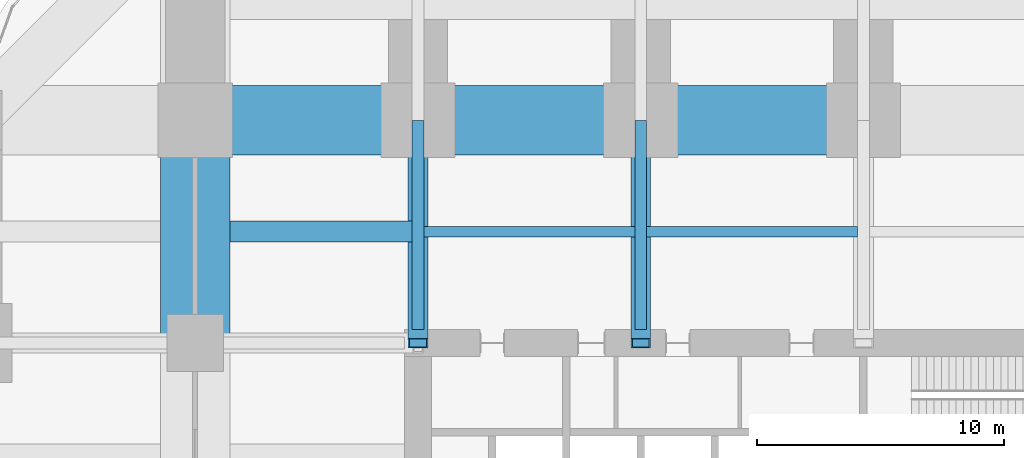
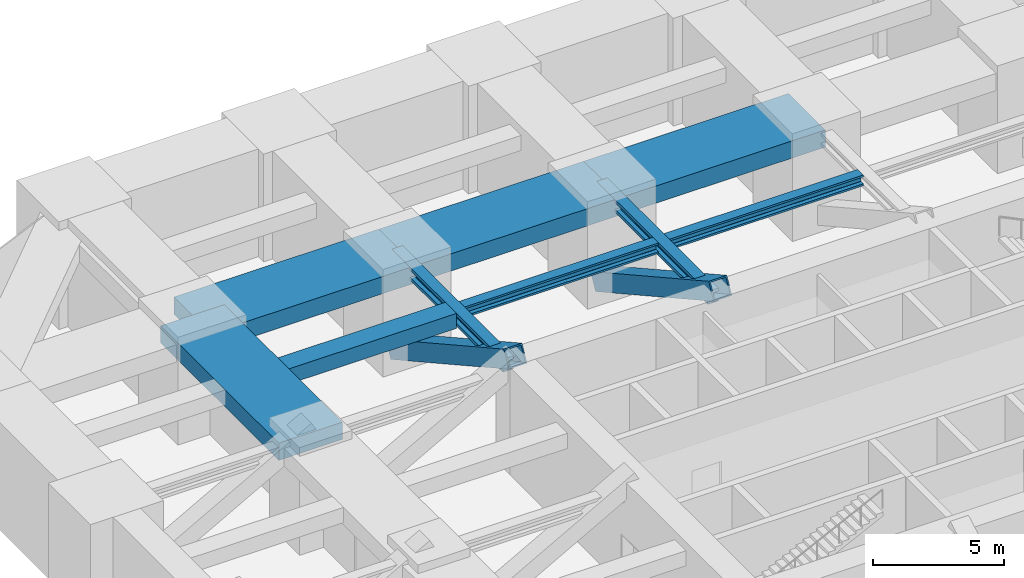
# One storey, part 22 of 35: 9 beams, 2 members.
"""IFC4 building model written with IfcOpenShell, lengths in metres."""

from ifc_helpers import new_model, si_unit, direction, frame, origin, origin_2d, place, context, subcontext, project, spatial, rectangle, hollow_rectangle, i_section, extrude, material, material_profile, profile_set, type_object, element, save


model = new_model("IFC4")

# Units and contexts
model_context = context("Model", 3, precision=1e-05, world=origin(), true_north=direction((0.0, 1.0)))
body_context = subcontext(model_context, "Body", "Model", "MODEL_VIEW")
ifc_project = project(units=[si_unit("LENGTHUNIT", "METRE"), si_unit("AREAUNIT", "SQUARE_METRE"), si_unit("VOLUMEUNIT", "CUBIC_METRE"), si_unit("PLANEANGLEUNIT", "RADIAN"), si_unit("MASSUNIT", "GRAM", prefix="KILO")], contexts=[model_context])

# Site, building, storey
site_placement = place(None, origin())
site = spatial("IfcSite", under=ifc_project, at=site_placement, CompositionType="ELEMENT")
building_placement = place(site_placement, origin())
building = spatial("IfcBuilding", under=site, at=building_placement, Name="Zorevar Civic Tower", CompositionType="ELEMENT")
storey_placement = place(building_placement, frame((0.0, 0.0, 80.0)))
storey = spatial("IfcBuildingStorey", under=building, at=storey_placement, Name="L19", CompositionType="ELEMENT", Elevation=80.0)

# Beams
ifc_material_1 = material(Name="Concrete C50/60", Category="concrete")
ifc_material_profile_1 = material_profile(ifc_material_1, rectangle(XDim=2.800048828125, YDim=0.800048828125, at=origin_2d()), Name="RC 2800x800")
ifc_profile_set_1 = profile_set([ifc_material_profile_1], Name="Concrete C50/60")
beam_type_1 = type_object("IfcBeamType", Name="Beam RC 2800x800", PredefinedType="BEAM", material=ifc_profile_set_1)
for number, where, z_axis, x_axis, name in (
    (1, (9.0, 45.0, 4.199951171875), (1.0, 0.0, 0.0), (0.0, 1.0, 0.0), "Girder L20"),
    (2, (18.0, 45.0, 4.199951171875), (1.0, 0.0, 0.0), (0.0, 1.0, 0.0), "Girder L20"),
    (3, (27.0, 45.0, 4.199951171875), (1.0, 0.0, 0.0), (0.0, 1.0, 0.0), "Girder L20"),
    (4, (9.0, 36.0, 4.199951171875), (0.0, 1.0, 0.0), (-1.0, 0.0, 0.0), "Girder L20"),
):
    element("IfcBeam", number, at=place(storey_placement, frame(where, z_axis=z_axis, x_axis=x_axis)), inside=storey, type_object=beam_type_1, Name=name, PredefinedType="BEAM", context=body_context, shape_type="SweptSolid", body=[
        extrude(rectangle(XDim=2.800048828125, YDim=0.800048828125, at=origin_2d()), origin(), (0.0, 0.0, 1.0), 9.0),
    ])
ifc_material_2 = material(Name="Concrete C50/60", Category="concrete")
ifc_material_profile_2 = material_profile(ifc_material_2, rectangle(XDim=0.85009765625, YDim=0.699951171875, at=origin_2d()), Name="RC 850x700")
ifc_profile_set_2 = profile_set([ifc_material_profile_2], Name="Concrete C50/60")
beam_type_2 = type_object("IfcBeamType", Name="Beam RC 850x700", PredefinedType="BEAM", material=ifc_profile_set_2)
beam_placement = place(storey_placement, frame((10.39990234375, 40.5, 4.25), z_axis=(1.0, 0.0, 0.0), x_axis=(0.0, 1.0, 0.0)))
element("IfcBeam", 5, at=beam_placement, inside=storey, type_object=beam_type_2, Name="Secondary beam L20", PredefinedType="BEAM", context=body_context, shape_type="SweptSolid", body=[
    extrude(rectangle(XDim=0.85009765625, YDim=0.699951171875, at=origin_2d()), origin(), (0.0, 0.0, 1.0), 7.362060546875),
])
ifc_material_3 = material(Name="Steel S460M (HISTAR 460)", Category="steel")
ifc_material_profile_3 = material_profile(ifc_material_3, i_section(OverallWidth=0.431884765625, OverallDepth=0.498046875, WebThickness=0.0556640625, FlangeThickness=0.0888671875, FilletRadius=0.014892578125, at=origin_2d()), Name="HD 400x744")
ifc_profile_set_3 = profile_set([ifc_material_profile_3], Name="Steel S460M (HISTAR 460)")
beam_type_3 = type_object("IfcBeamType", Name="Core bay beam HD 400x744", PredefinedType="BEAM", material=ifc_profile_set_3)
for number, where, z_axis, x_axis, name in (
    (6, (18.238037109375, 40.5, 4.35107421875), (1.0, 0.0, 0.0), (0.0, 1.0, 0.0), "Secondary beam L20"),
    (7, (27.238037109375, 40.5, 4.35107421875), (1.0, 0.0, 0.0), (0.0, 1.0, 0.0), "Secondary beam L20"),
):
    element("IfcBeam", number, at=place(storey_placement, frame(where, z_axis=z_axis, x_axis=x_axis)), inside=storey, type_object=beam_type_3, Name=name, PredefinedType="BEAM", context=body_context, shape_type="SweptSolid", body=[
        extrude(i_section(OverallWidth=0.431884765625, OverallDepth=0.498046875, WebThickness=0.0556640625, FlangeThickness=0.0888671875, FilletRadius=0.014892578125, at=origin_2d()), origin(), (0.0, 0.0, 1.0), 8.52392578125),
    ])
ifc_material_4 = material(Name="Steel S460M (HISTAR 460)", Category="steel")
ifc_material_profile_4 = material_profile(ifc_material_4, i_section(OverallWidth=0.47607421875, OverallDepth=0.60009765625, WebThickness=0.10009765625, FlangeThickness=0.139892578125, FilletRadius=0.014892578125, at=origin_2d()), Name="HD 400x1299")
ifc_profile_set_4 = profile_set([ifc_material_profile_4], Name="Steel S460M (HISTAR 460)")
beam_type_4 = type_object("IfcBeamType", Name="Outrigger chord HD 400x1299", PredefinedType="BEAM", material=ifc_profile_set_4)
for number, where, z_axis, x_axis, name in (
    (8, (18.0, 36.550048828125, 4.300048828125), (0.0, 1.0, 0.0), (-1.0, 0.0, 0.0), "Outrigger chord L20"),
    (9, (27.0, 36.550048828125, 4.300048828125), (0.0, 1.0, 0.0), (-1.0, 0.0, 0.0), "Outrigger chord L20"),
):
    element("IfcBeam", number, at=place(storey_placement, frame(where, z_axis=z_axis, x_axis=x_axis)), inside=storey, type_object=beam_type_4, Name=name, PredefinedType="BEAM", context=body_context, shape_type="SweptSolid", body=[
        extrude(i_section(OverallWidth=0.47607421875, OverallDepth=0.60009765625, WebThickness=0.10009765625, FlangeThickness=0.139892578125, FilletRadius=0.014892578125, at=origin_2d()), origin(), (0.0, 0.0, 1.0), 8.449951171875),
    ])

# Members
ifc_material_5 = material(Name="Steel S460M (HISTAR 460)", Category="steel")
ifc_material_profile_5 = material_profile(ifc_material_5, hollow_rectangle(XDim=0.800048828125, YDim=0.800048828125, WallThickness=0.06005859375, at=origin_2d()), Name="BOX 800x800x60")
ifc_profile_set_5 = profile_set([ifc_material_profile_5], Name="Steel S460M (HISTAR 460)")
member_type = type_object("IfcMemberType", Name="Outrigger diagonal BOX 800x800x60", PredefinedType="BRACE", material=ifc_profile_set_5)
for number, where, z_axis, x_axis, name in (
    (10, (18.0, 36.0, 5.0), (0.0, 0.874157276122, -0.485642931179), (-1.0, 0.0, 0.0), "Outrigger diagonal N L19"),
    (11, (27.0, 36.0, 5.0), (0.0, 0.874157276122, -0.485642931179), (-1.0, 0.0, 0.0), "Outrigger diagonal N L19"),
):
    element("IfcMember", number, at=place(storey_placement, frame(where, z_axis=z_axis, x_axis=x_axis)), inside=storey, type_object=member_type, Name=name, PredefinedType="BRACE", context=body_context, shape_type="SweptSolid", body=[
        extrude(hollow_rectangle(XDim=0.800048828125, YDim=0.800048828125, WallThickness=0.06005859375, at=origin_2d()), origin(), (0.0, 0.0, 1.0), 10.295654296875),
    ])

save(model, "model.ifc")
